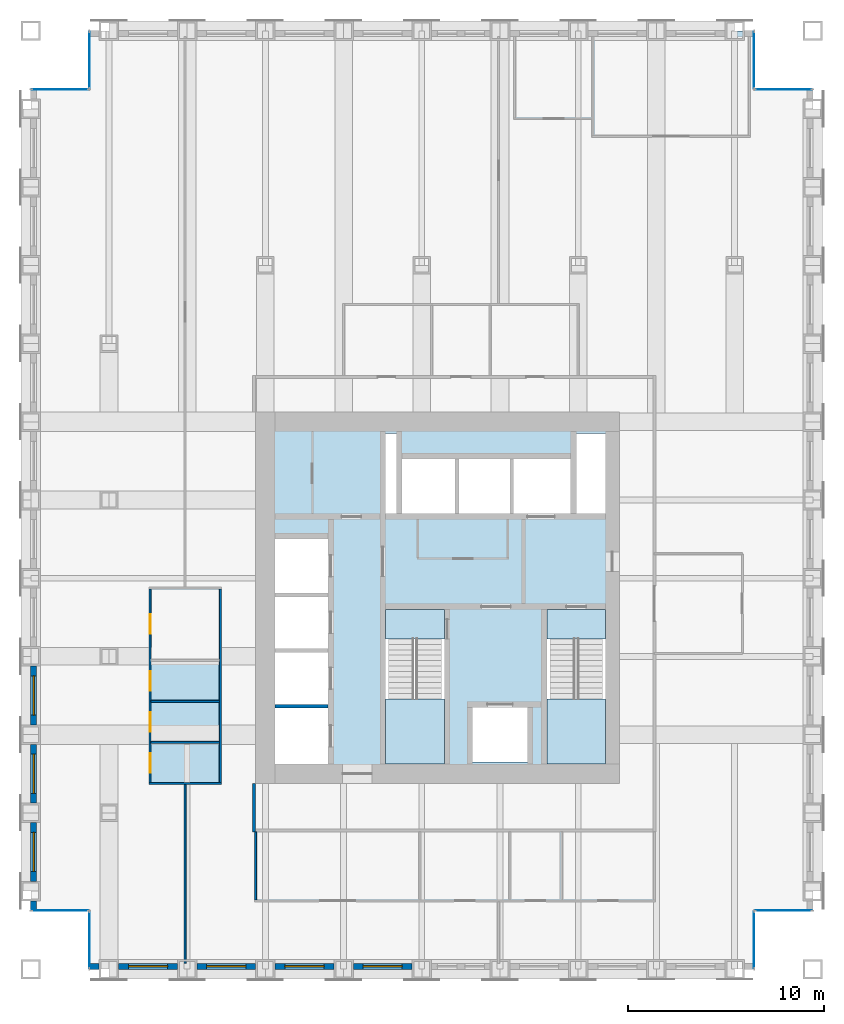
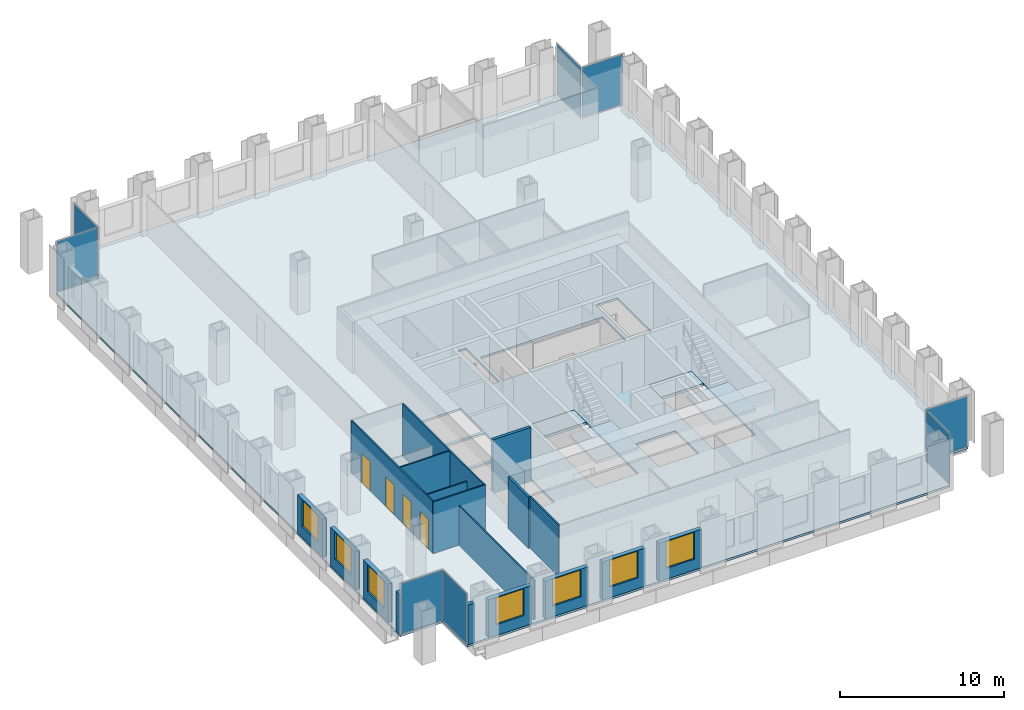
# One storey, part 8 of 13: 18 walls, 8 plates, 7 windows, 5 slabs, 4 doors, 11 openings, 10 elements without a shape of their own.
"""IFC4 building model written with IfcOpenShell, lengths in metres."""

from ifc_helpers import new_model, si_unit, direction, frame, frame_2d, origin, origin_2d, place, context, subcontext, project, spatial, polyline, rectangle, outline, extrude, material, layer, layer_set, type_object, element, fill, aggregate, save


model = new_model("IFC4")

# Units and contexts
model_context = context("Model", 3, precision=1e-05, world=origin(), true_north=direction((0.0, 1.0)))
body_context = subcontext(model_context, "Body", "Model", "MODEL_VIEW")
ifc_project = project(units=[si_unit("LENGTHUNIT", "METRE"), si_unit("AREAUNIT", "SQUARE_METRE"), si_unit("VOLUMEUNIT", "CUBIC_METRE"), si_unit("PLANEANGLEUNIT", "RADIAN"), si_unit("MASSUNIT", "GRAM", prefix="KILO")], contexts=[model_context])

# Site, building, storey
site_placement = place(None, origin())
site = spatial("IfcSite", under=ifc_project, at=site_placement, CompositionType="ELEMENT")
building_placement = place(site_placement, origin())
building = spatial("IfcBuilding", under=site, at=building_placement, Name="Rimbunsela Tower", CompositionType="ELEMENT")
storey_placement = place(building_placement, frame((0.0, 0.0, 195.800048828125)))
storey = spatial("IfcBuildingStorey", under=building, at=storey_placement, Name="L47", CompositionType="ELEMENT", Elevation=195.800048828125)

# Slab
ifc_material_1 = material(Name="Concrete fc' 35 MPa", Category="concrete")
ifc_layer_1 = layer(ifc_material_1, 0.14990234375)
ifc_layer_set_1 = layer_set([ifc_layer_1], Name="Floor slab 150")
slab_type_1 = type_object("IfcSlabType", Name="Floor slab 150", PredefinedType="FLOOR", material=ifc_layer_set_1)
slab_1_placement = place(storey_placement, frame((0.0, 0.0, -0.150146484375)))
element("IfcSlab", 1, at=slab_1_placement, inside=storey, type_object=slab_type_1, Name="Floor slab L47", PredefinedType="FLOOR", context=body_context, shape_type="SweptSolid", body=[
    extrude(outline(polyline([(9.0, 8.0), (43.0, 8.0), (43.0, 11.0), (46.0, 11.0), (46.0, 53.0), (43.0, 53.0), (43.0, 56.0), (9.0, 56.0), (9.0, 53.0), (6.0, 53.0), (6.0, 11.0), (9.0, 11.0), (9.0, 8.0)]), holes=[polyline([(21.199951171875, 21.35009765625), (18.5, 21.35009765625), (18.5, 18.5), (21.199951171875, 18.5), (21.199951171875, 21.35009765625)]), polyline([(21.199951171875, 21.550048828125), (21.199951171875, 24.199951171875), (18.5, 24.199951171875), (18.5, 21.550048828125), (21.199951171875, 21.550048828125)]), polyline([(21.199951171875, 27.050048828125), (18.5, 27.050048828125), (18.5, 24.39990234375), (21.199951171875, 24.39990234375), (21.199951171875, 27.050048828125)]), polyline([(21.199951171875, 27.25), (21.199951171875, 30.0), (18.5, 30.0), (18.5, 27.25), (21.199951171875, 27.25)]), polyline([(27.14990234375, 18.60009765625), (27.14990234375, 26.39990234375), (24.14990234375, 26.39990234375), (24.14990234375, 18.60009765625), (27.14990234375, 18.60009765625)]), polyline([(24.699951171875, 31.300048828125), (24.699951171875, 35.39990234375), (24.14990234375, 35.39990234375), (24.14990234375, 31.300048828125), (24.699951171875, 31.300048828125)]), polyline([(25.0, 34.10009765625), (25.0, 31.300048828125), (33.60009765625, 31.300048828125), (33.60009765625, 34.10009765625), (25.0, 34.10009765625)]), polyline([(31.39990234375, 21.39990234375), (28.60009765625, 21.39990234375), (28.60009765625, 18.60009765625), (31.39990234375, 18.60009765625), (31.39990234375, 21.39990234375)]), polyline([(35.39990234375, 18.60009765625), (35.39990234375, 26.39990234375), (32.39990234375, 26.39990234375), (32.39990234375, 18.60009765625), (35.39990234375, 18.60009765625)]), polyline([(35.39990234375, 31.300048828125), (35.39990234375, 35.39990234375), (33.89990234375, 35.39990234375), (33.89990234375, 31.300048828125), (35.39990234375, 31.300048828125)])]), origin(), (0.0, 0.0, 1.0), 0.150146484375),
])

# Curtain wall, plate
ifc_material_2 = material(Name="Aluminium curtain wall", Category="aluminium")
curtain_wall_type = type_object("IfcCurtainWallType", Name="Corner glazing", PredefinedType="USERDEFINED", material=ifc_material_2)
curtain_wall_1_placement = place(storey_placement, origin())
curtain_wall_1 = element("IfcCurtainWall", 2, at=curtain_wall_1_placement, inside=storey, type_object=curtain_wall_type, Name="Corner glazing L47", ObjectType="CORNER GLAZING", PredefinedType="USERDEFINED")
ifc_material_3 = material(Name="Clear double glazing", Category="glass")
ifc_layer_2 = layer(ifc_material_3, 0.028076171875)
ifc_layer_set_2 = layer_set([ifc_layer_2], Name="Glazed panel clear")
plate_type = type_object("IfcPlateType", Name="Glazed panel clear", PredefinedType="CURTAIN_PANEL", material=ifc_layer_set_2)
plate_1_placement = place(storey_placement, frame((43.0, 9.5, 0.06005859375), z_axis=(0.0, 0.0, 1.0), x_axis=(0.0, 1.0, 0.0)))
plate_1 = element("IfcPlate", 3, at=plate_1_placement, type_object=plate_type, Name="CW5 panel 1.1", PredefinedType="CURTAIN_PANEL", context=body_context, shape_type="SweptSolid", body=[
    extrude(rectangle(XDim=2.8798828125, YDim=0.028076171875, at=origin_2d()), origin(), (0.0, 0.0, 1.0), 3.72998046875),
])
aggregate(curtain_wall_1, [plate_1])

curtain_wall_2_placement = place(storey_placement, origin())
curtain_wall_2 = element("IfcCurtainWall", 4, at=curtain_wall_2_placement, inside=storey, type_object=curtain_wall_type, Name="Corner glazing L47", ObjectType="CORNER GLAZING", PredefinedType="USERDEFINED")
plate_2_placement = place(storey_placement, frame((44.5, 11.0, 0.06005859375), z_axis=(0.0, 0.0, 1.0), x_axis=(1.0, 0.0, 0.0)))
plate_2 = element("IfcPlate", 5, at=plate_2_placement, type_object=plate_type, Name="CW5 panel 1.1", PredefinedType="CURTAIN_PANEL", context=body_context, shape_type="SweptSolid", body=[
    extrude(rectangle(XDim=2.8798828125, YDim=0.028076171875, at=origin_2d()), origin(), (0.0, 0.0, 1.0), 3.72998046875),
])
aggregate(curtain_wall_2, [plate_2])

curtain_wall_3_placement = place(storey_placement, origin())
curtain_wall_3 = element("IfcCurtainWall", 6, at=curtain_wall_3_placement, inside=storey, type_object=curtain_wall_type, Name="Corner glazing L47", ObjectType="CORNER GLAZING", PredefinedType="USERDEFINED")
plate_3_placement = place(storey_placement, frame((44.5, 53.0, 0.06005859375), z_axis=(0.0, 0.0, 1.0), x_axis=(-1.0, 0.0, 0.0)))
plate_3 = element("IfcPlate", 7, at=plate_3_placement, type_object=plate_type, Name="CW5 panel 1.1", PredefinedType="CURTAIN_PANEL", context=body_context, shape_type="SweptSolid", body=[
    extrude(rectangle(XDim=2.8798828125, YDim=0.028076171875, at=origin_2d()), origin(), (0.0, 0.0, 1.0), 3.72998046875),
])
aggregate(curtain_wall_3, [plate_3])

curtain_wall_4_placement = place(storey_placement, origin())
curtain_wall_4 = element("IfcCurtainWall", 8, at=curtain_wall_4_placement, inside=storey, type_object=curtain_wall_type, Name="Corner glazing L47", ObjectType="CORNER GLAZING", PredefinedType="USERDEFINED")
plate_4_placement = place(storey_placement, frame((43.0, 54.5, 0.06005859375), z_axis=(0.0, 0.0, 1.0), x_axis=(0.0, 1.0, 0.0)))
plate_4 = element("IfcPlate", 9, at=plate_4_placement, type_object=plate_type, Name="CW5 panel 1.1", PredefinedType="CURTAIN_PANEL", context=body_context, shape_type="SweptSolid", body=[
    extrude(rectangle(XDim=2.8798828125, YDim=0.028076171875, at=origin_2d()), origin(), (0.0, 0.0, 1.0), 3.72998046875),
])
aggregate(curtain_wall_4, [plate_4])

curtain_wall_5_placement = place(storey_placement, origin())
curtain_wall_5 = element("IfcCurtainWall", 10, at=curtain_wall_5_placement, inside=storey, type_object=curtain_wall_type, Name="Corner glazing L47", ObjectType="CORNER GLAZING", PredefinedType="USERDEFINED")
plate_5_placement = place(storey_placement, frame((9.0, 54.5, 0.06005859375), z_axis=(0.0, 0.0, 1.0), x_axis=(0.0, -1.0, 0.0)))
plate_5 = element("IfcPlate", 11, at=plate_5_placement, type_object=plate_type, Name="CW5 panel 1.1", PredefinedType="CURTAIN_PANEL", context=body_context, shape_type="SweptSolid", body=[
    extrude(rectangle(XDim=2.8798828125, YDim=0.028076171875, at=origin_2d()), origin(), (0.0, 0.0, 1.0), 3.72998046875),
])
aggregate(curtain_wall_5, [plate_5])

curtain_wall_6_placement = place(storey_placement, origin())
curtain_wall_6 = element("IfcCurtainWall", 12, at=curtain_wall_6_placement, inside=storey, type_object=curtain_wall_type, Name="Corner glazing L47", ObjectType="CORNER GLAZING", PredefinedType="USERDEFINED")
plate_6_placement = place(storey_placement, frame((7.5, 53.0, 0.06005859375), z_axis=(0.0, 0.0, 1.0), x_axis=(-1.0, 0.0, 0.0)))
plate_6 = element("IfcPlate", 13, at=plate_6_placement, type_object=plate_type, Name="CW5 panel 1.1", PredefinedType="CURTAIN_PANEL", context=body_context, shape_type="SweptSolid", body=[
    extrude(rectangle(XDim=2.8798828125, YDim=0.028076171875, at=origin_2d()), origin(), (0.0, 0.0, 1.0), 3.72998046875),
])
aggregate(curtain_wall_6, [plate_6])

curtain_wall_7_placement = place(storey_placement, origin())
curtain_wall_7 = element("IfcCurtainWall", 14, at=curtain_wall_7_placement, inside=storey, type_object=curtain_wall_type, Name="Corner glazing L47", ObjectType="CORNER GLAZING", PredefinedType="USERDEFINED")
plate_7_placement = place(storey_placement, frame((7.5, 11.0, 0.06005859375), z_axis=(0.0, 0.0, 1.0), x_axis=(1.0, 0.0, 0.0)))
plate_7 = element("IfcPlate", 15, at=plate_7_placement, type_object=plate_type, Name="CW5 panel 1.1", PredefinedType="CURTAIN_PANEL", context=body_context, shape_type="SweptSolid", body=[
    extrude(rectangle(XDim=2.8798828125, YDim=0.028076171875, at=origin_2d()), origin(), (0.0, 0.0, 1.0), 3.72998046875),
])
aggregate(curtain_wall_7, [plate_7])

curtain_wall_8_placement = place(storey_placement, origin())
curtain_wall_8 = element("IfcCurtainWall", 16, at=curtain_wall_8_placement, inside=storey, type_object=curtain_wall_type, Name="Corner glazing L47", ObjectType="CORNER GLAZING", PredefinedType="USERDEFINED")
plate_8_placement = place(storey_placement, frame((9.0, 9.5, 0.06005859375), z_axis=(0.0, 0.0, 1.0), x_axis=(0.0, -1.0, 0.0)))
plate_8 = element("IfcPlate", 17, at=plate_8_placement, type_object=plate_type, Name="CW5 panel 1.1", PredefinedType="CURTAIN_PANEL", context=body_context, shape_type="SweptSolid", body=[
    extrude(rectangle(XDim=2.8798828125, YDim=0.028076171875, at=origin_2d()), origin(), (0.0, 0.0, 1.0), 3.72998046875),
])
aggregate(curtain_wall_8, [plate_8])

# Stair, slabs
ifc_material_4 = material(Name="Concrete fc' 35 MPa", Category="concrete")
stair_type = type_object("IfcStairType", Name="Exit stair 24 risers", PredefinedType="HALF_TURN_STAIR", material=ifc_material_4)
stair_1_placement = place(storey_placement, origin())
stair_1 = element("IfcStair", 18, at=stair_1_placement, inside=storey, type_object=stair_type, Name="Exit stair A L47", PredefinedType="HALF_TURN_STAIR")
ifc_material_5 = material(Name="Concrete fc' 35 MPa", Category="concrete")
ifc_layer_3 = layer(ifc_material_5, 0.199951171875)
ifc_layer_set_3 = layer_set([ifc_layer_3], Name="Stair landing 200")
slab_type_2 = type_object("IfcSlabType", Name="Stair landing 200", PredefinedType="LANDING", material=ifc_layer_set_3)
slab_2_placement = place(storey_placement, frame((0.0, 0.0, -0.199951171875)))
slab_2 = element("IfcSlab", 19, at=slab_2_placement, type_object=slab_type_2, Name="ST-A landing 1", PredefinedType="LANDING", context=body_context, shape_type="SweptSolid", body=[
    extrude(outline(polyline([(24.14990234375, 24.89990234375), (27.14990234375, 24.89990234375), (27.14990234375, 26.39990234375), (24.14990234375, 26.39990234375), (24.14990234375, 24.89990234375)])), origin(), (0.0, 0.0, 1.0), 0.199951171875),
])
slab_3_placement = place(storey_placement, frame((0.0, 0.0, 1.800048828125)))
slab_3 = element("IfcSlab", 20, at=slab_3_placement, type_object=slab_type_2, Name="ST-A landing 2", PredefinedType="LANDING", context=body_context, shape_type="SweptSolid", body=[
    extrude(outline(polyline([(24.14990234375, 18.5), (27.14990234375, 18.5), (27.14990234375, 21.820068359375), (24.14990234375, 21.820068359375), (24.14990234375, 18.5)])), origin(), (0.0, 0.0, 1.0), 0.199951171875),
])
aggregate(stair_1, [slab_2, slab_3])

stair_2_placement = place(storey_placement, origin())
stair_2 = element("IfcStair", 21, at=stair_2_placement, inside=storey, type_object=stair_type, Name="Exit stair B L47", PredefinedType="HALF_TURN_STAIR")
slab_4_placement = place(storey_placement, frame((0.0, 0.0, -0.199951171875)))
slab_4 = element("IfcSlab", 22, at=slab_4_placement, type_object=slab_type_2, Name="ST-B landing 1", PredefinedType="LANDING", context=body_context, shape_type="SweptSolid", body=[
    extrude(outline(polyline([(32.39990234375, 24.89990234375), (35.39990234375, 24.89990234375), (35.39990234375, 26.39990234375), (32.39990234375, 26.39990234375), (32.39990234375, 24.89990234375)])), origin(), (0.0, 0.0, 1.0), 0.199951171875),
])
slab_5_placement = place(storey_placement, frame((0.0, 0.0, 1.800048828125)))
slab_5 = element("IfcSlab", 23, at=slab_5_placement, type_object=slab_type_2, Name="ST-B landing 2", PredefinedType="LANDING", context=body_context, shape_type="SweptSolid", body=[
    extrude(outline(polyline([(32.39990234375, 18.5), (35.39990234375, 18.5), (35.39990234375, 21.820068359375), (32.39990234375, 21.820068359375), (32.39990234375, 18.5)])), origin(), (0.0, 0.0, 1.0), 0.199951171875),
])
aggregate(stair_2, [slab_4, slab_5])

# Walls
ifc_material_6 = material(Name="Concrete blockwork", Category="masonry")
ifc_layer_4 = layer(ifc_material_6, 0.199951171875)
ifc_layer_set_4 = layer_set([ifc_layer_4], Name="Lift shaft wall 200")
wall_type_1 = type_object("IfcWallType", Name="Lift shaft wall 200", PredefinedType="SOLIDWALL", material=ifc_layer_set_4)
wall_1_placement = place(storey_placement, frame((18.5, 21.449951171875, -0.150146484375), z_axis=(0.0, 0.0, 1.0), x_axis=(1.0, 0.0, 0.0)))
element("IfcWall", 24, at=wall_1_placement, inside=storey, type_object=wall_type_1, Name="Lift shaft separation", PredefinedType="SOLIDWALL", context=body_context, shape_type="SweptSolid", body=[
    extrude(rectangle(XDim=2.699951171875, YDim=0.199951171875, at=frame_2d((1.35009765625, 0.0))), origin(), (0.0, 0.0, 1.0), 4.0),
])
ifc_material_7 = material(Name="Gypsum board on steel studs", Category="steel")
ifc_layer_5 = layer(ifc_material_7, 0.10009765625)
ifc_layer_set_5 = layer_set([ifc_layer_5], Name="Office partition 100")
wall_type_2 = type_object("IfcWallType", Name="Office partition 100", PredefinedType="PARTITIONING", material=ifc_layer_set_5)
wall_2_placement = place(storey_placement, frame((12.050048828125, 17.5, 0.0), z_axis=(0.0, 0.0, 1.0), x_axis=(1.0, 0.0, 0.0)))
element("IfcWall", 25, at=wall_2_placement, inside=storey, type_object=wall_type_2, Name="Office partition", PredefinedType="PARTITIONING", context=body_context, shape_type="SweptSolid", body=[
    extrude(rectangle(XDim=3.699951171875, YDim=0.10009765625, at=frame_2d((1.85009765625, 0.0))), origin(), (0.0, 0.0, 1.0), 3.849853515625),
])
wall_3_placement = place(storey_placement, frame((12.14990234375, 19.60009765625, 0.0), z_axis=(0.0, 0.0, 1.0), x_axis=(1.0, 0.0, 0.0)))
element("IfcWall", 26, at=wall_3_placement, inside=storey, type_object=wall_type_2, Name="Office partition", PredefinedType="PARTITIONING", context=body_context, shape_type="SweptSolid", body=[
    extrude(rectangle(XDim=3.5, YDim=0.10009765625, at=frame_2d((1.75, 0.0))), origin(), (0.0, 0.0, 1.0), 2.849853515625),
])
wall_4_placement = place(storey_placement, frame((12.14990234375, 21.699951171875, 0.0), z_axis=(0.0, 0.0, 1.0), x_axis=(1.0, 0.0, 0.0)))
element("IfcWall", 27, at=wall_4_placement, inside=storey, type_object=wall_type_2, Name="Office partition", PredefinedType="PARTITIONING", context=body_context, shape_type="SweptSolid", body=[
    extrude(rectangle(XDim=3.5, YDim=0.10009765625, at=frame_2d((1.75, 0.0))), origin(), (0.0, 0.0, 1.0), 3.849853515625),
])

# Wall, openings, doors
wall_5_placement = place(storey_placement, frame((12.10009765625, 17.550048828125, 0.0), z_axis=(0.0, 0.0, 1.0), x_axis=(0.0, 1.0, 0.0)))
wall_5 = element("IfcWall", 28, at=wall_5_placement, inside=storey, type_object=wall_type_2, Name="Office partition", PredefinedType="PARTITIONING", context=body_context, shape_type="SweptSolid", body=[
    extrude(rectangle(XDim=9.89990234375, YDim=0.10009765625, at=frame_2d((4.949951171875, 0.0))), origin(), (0.0, 0.0, 1.0), 3.849853515625),
])
opening_1_placement = place(wall_5_placement, frame((0.5, 0.0, 0.0)))
opening_1 = element("IfcOpeningElement", 29, at=opening_1_placement, cuts=wall_5, Name="Opening D16", PredefinedType="OPENING", context=body_context, shape_type="SweptSolid", body=[
    extrude(rectangle(XDim=1.0, YDim=2.199951171875, at=frame_2d((0.5, 1.10009765625))), frame((0.0, 0.06005859375, 0.0), z_axis=(0.0, -1.0, 0.0), x_axis=(1.0, 0.0, 0.0)), (0.0, 0.0, 1.0), 0.1201171875),
])
opening_2_placement = place(wall_5_placement, frame((2.60009765625, 0.0, 0.0)))
opening_2 = element("IfcOpeningElement", 30, at=opening_2_placement, cuts=wall_5, Name="Opening D16", PredefinedType="OPENING", context=body_context, shape_type="SweptSolid", body=[
    extrude(rectangle(XDim=1.0, YDim=2.199951171875, at=frame_2d((0.5, 1.10009765625))), frame((0.0, 0.06005859375, 0.0), z_axis=(0.0, -1.0, 0.0), x_axis=(1.0, 0.0, 0.0)), (0.0, 0.0, 1.0), 0.1201171875),
])
opening_3_placement = place(wall_5_placement, frame((4.699951171875, 0.0, 0.0)))
opening_3 = element("IfcOpeningElement", 31, at=opening_3_placement, cuts=wall_5, Name="Opening D16", PredefinedType="OPENING", context=body_context, shape_type="SweptSolid", body=[
    extrude(rectangle(XDim=1.0, YDim=2.199951171875, at=frame_2d((0.5, 1.10009765625))), frame((0.0, 0.06005859375, 0.0), z_axis=(0.0, -1.0, 0.0), x_axis=(1.0, 0.0, 0.0)), (0.0, 0.0, 1.0), 0.1201171875),
])
opening_4_placement = place(wall_5_placement, frame((7.60009765625, 0.0, 0.0)))
opening_4 = element("IfcOpeningElement", 32, at=opening_4_placement, cuts=wall_5, Name="Opening D17", PredefinedType="OPENING", context=body_context, shape_type="SweptSolid", body=[
    extrude(rectangle(XDim=1.0, YDim=2.199951171875, at=frame_2d((0.5, 1.10009765625))), frame((0.0, 0.06005859375, 0.0), z_axis=(0.0, -1.0, 0.0), x_axis=(1.0, 0.0, 0.0)), (0.0, 0.0, 1.0), 0.1201171875),
])
ifc_material_8 = material(Name="Glazed aluminium door", Category="aluminium")
door_type_1 = type_object("IfcDoorType", Name="Meeting room door 1000 glazed", OperationType="SINGLE_SWING_RIGHT", PredefinedType="DOOR", material=ifc_material_8)
door_1_placement = place(opening_4_placement, origin())
door_1 = element("IfcDoor", 33, at=door_1_placement, inside=storey, type_object=door_type_1, Name="Meeting room door", OperationType="SINGLE_SWING_RIGHT", OverallHeight=2.199951171875, OverallWidth=1.0, PredefinedType="DOOR", context=body_context, shape_type="SweptSolid", body=[
    extrude(rectangle(XDim=1.0, YDim=2.199951171875, at=frame_2d((0.5, 1.10009765625))), frame((0.0, 0.02490234375, 0.0), z_axis=(0.0, -1.0, 0.0), x_axis=(1.0, 0.0, 0.0)), (0.0, 0.0, 1.0), 0.050048828125),
])
fill(opening_4, door_1)
ifc_material_9 = material(Name="Timber door", Category="wood")
door_type_2 = type_object("IfcDoorType", Name="Office door 1000", OperationType="SINGLE_SWING_LEFT", PredefinedType="DOOR", material=ifc_material_9)
door_2_placement = place(opening_1_placement, origin())
door_2 = element("IfcDoor", 34, at=door_2_placement, inside=storey, type_object=door_type_2, Name="Office door", OperationType="SINGLE_SWING_LEFT", OverallHeight=2.199951171875, OverallWidth=1.0, PredefinedType="DOOR", context=body_context, shape_type="SweptSolid", body=[
    extrude(rectangle(XDim=1.0, YDim=2.199951171875, at=frame_2d((0.5, 1.10009765625))), frame((0.0, 0.02490234375, 0.0), z_axis=(0.0, -1.0, 0.0), x_axis=(1.0, 0.0, 0.0)), (0.0, 0.0, 1.0), 0.050048828125),
])
fill(opening_1, door_2)
door_3_placement = place(opening_2_placement, origin())
door_3 = element("IfcDoor", 35, at=door_3_placement, inside=storey, type_object=door_type_2, Name="Office door", OperationType="SINGLE_SWING_LEFT", OverallHeight=2.199951171875, OverallWidth=1.0, PredefinedType="DOOR", context=body_context, shape_type="SweptSolid", body=[
    extrude(rectangle(XDim=1.0, YDim=2.199951171875, at=frame_2d((0.5, 1.10009765625))), frame((0.0, 0.02490234375, 0.0), z_axis=(0.0, -1.0, 0.0), x_axis=(1.0, 0.0, 0.0)), (0.0, 0.0, 1.0), 0.050048828125),
])
fill(opening_2, door_3)
door_4_placement = place(opening_3_placement, origin())
door_4 = element("IfcDoor", 36, at=door_4_placement, inside=storey, type_object=door_type_2, Name="Office door", OperationType="SINGLE_SWING_LEFT", OverallHeight=2.199951171875, OverallWidth=1.0, PredefinedType="DOOR", context=body_context, shape_type="SweptSolid", body=[
    extrude(rectangle(XDim=1.0, YDim=2.199951171875, at=frame_2d((0.5, 1.10009765625))), frame((0.0, 0.02490234375, 0.0), z_axis=(0.0, -1.0, 0.0), x_axis=(1.0, 0.0, 0.0)), (0.0, 0.0, 1.0), 0.050048828125),
])
fill(opening_3, door_4)

# Walls
wall_6_placement = place(storey_placement, frame((15.699951171875, 17.550048828125, 0.0), z_axis=(0.0, 0.0, 1.0), x_axis=(0.0, 1.0, 0.0)))
element("IfcWall", 37, at=wall_6_placement, inside=storey, type_object=wall_type_2, Name="Office partition", PredefinedType="PARTITIONING", context=body_context, shape_type="SweptSolid", body=[
    extrude(rectangle(XDim=9.89990234375, YDim=0.10009765625, at=frame_2d((4.949951171875, 0.0))), origin(), (0.0, 0.0, 1.0), 3.849853515625),
])
wall_7_placement = place(storey_placement, frame((17.5, 11.550048828125, 0.0), z_axis=(0.0, 0.0, 1.0), x_axis=(0.0, 1.0, 0.0)))
element("IfcWall", 38, at=wall_7_placement, inside=storey, type_object=wall_type_2, Name="Office partition", PredefinedType="PARTITIONING", context=body_context, shape_type="SweptSolid", body=[
    extrude(rectangle(XDim=3.474853515625, YDim=0.10009765625, at=frame_2d((1.7373046875, 0.0))), origin(), (0.0, 0.0, 1.0), 3.849853515625),
])
wall_8_placement = place(storey_placement, frame((13.89990234375, 8.300048828125, 0.0), z_axis=(0.0, 0.0, 1.0), x_axis=(0.0, 1.0, 0.0)))
element("IfcWall", 39, at=wall_8_placement, inside=storey, type_object=wall_type_2, Name="Office partition", PredefinedType="PARTITIONING", context=body_context, shape_type="SweptSolid", body=[
    extrude(rectangle(XDim=9.14990234375, YDim=0.10009765625, at=frame_2d((4.574951171875, 0.0))), origin(), (0.0, 0.0, 1.0), 2.949951171875),
])
ifc_material_10 = material(Name="Precast concrete fc' 35 MPa", Category="concrete")
ifc_layer_6 = layer(ifc_material_10, 0.300048828125)
ifc_layer_set_6 = layer_set([ifc_layer_6], Name="Precast concrete fc' 35 MPa")
wall_type_3 = type_object("IfcWallType", Name="Precast facade panel 300", PredefinedType="ELEMENTEDWALL", material=ifc_layer_set_6)
wall_9_placement = place(storey_placement, frame((9.030029296875, 8.14990234375, 0.0), z_axis=(0.0, 0.0, 1.0), x_axis=(1.0, 0.0, 0.0)))
element("IfcWall", 40, at=wall_9_placement, inside=storey, type_object=wall_type_3, Name="Facade panel S L47", PredefinedType="ELEMENTEDWALL", context=body_context, shape_type="SweptSolid", body=[
    extrude(rectangle(XDim=0.469970703125, YDim=0.300048828125, at=frame_2d((0.23486328125, 0.0))), origin(), (0.0, 0.0, 1.0), 2.949951171875),
])

# Wall, opening, window
wall_10_placement = place(storey_placement, frame((10.5, 8.14990234375, 0.0), z_axis=(0.0, 0.0, 1.0), x_axis=(1.0, 0.0, 0.0)))
wall_10 = element("IfcWall", 41, at=wall_10_placement, inside=storey, type_object=wall_type_3, Name="Facade panel S L47", PredefinedType="ELEMENTEDWALL", context=body_context, shape_type="SweptSolid", body=[
    extrude(rectangle(XDim=3.0, YDim=0.300048828125, at=frame_2d((1.5, 0.0))), origin(), (0.0, 0.0, 1.0), 2.849853515625),
])
opening_5_placement = place(wall_10_placement, frame((0.5, 0.0, 0.800048828125)))
opening_5 = element("IfcOpeningElement", 42, at=opening_5_placement, cuts=wall_10, Name="Opening W1", PredefinedType="OPENING", context=body_context, shape_type="SweptSolid", body=[
    extrude(rectangle(XDim=2.0, YDim=2.0, at=frame_2d((1.0, 1.0))), frame((0.0, 0.159912109375, 0.0), z_axis=(0.0, -1.0, 0.0), x_axis=(1.0, 0.0, 0.0)), (0.0, 0.0, 1.0), 0.320068359375),
])
ifc_material_11 = material(Name="Clear glass in aluminium frame", Category="aluminium")
window_type = type_object("IfcWindowType", Name="Window W1 2000x2000", PartitioningType="DOUBLE_PANEL_VERTICAL", PredefinedType="WINDOW", material=ifc_material_11)
window_1_placement = place(opening_5_placement, origin())
window_1 = element("IfcWindow", 43, at=window_1_placement, inside=storey, type_object=window_type, Name="Window L47", OverallHeight=2.0, OverallWidth=2.0, PartitioningType="SINGLE_PANEL", PredefinedType="WINDOW", context=body_context, shape_type="SweptSolid", body=[
    extrude(rectangle(XDim=2.0, YDim=2.0, at=frame_2d((1.0, 1.0))), frame((0.0, 0.030029296875, 0.0), z_axis=(0.0, -1.0, 0.0), x_axis=(1.0, 0.0, 0.0)), (0.0, 0.0, 1.0), 0.06005859375),
])
fill(opening_5, window_1)

wall_11_placement = place(storey_placement, frame((14.5, 8.14990234375, 0.0), z_axis=(0.0, 0.0, 1.0), x_axis=(1.0, 0.0, 0.0)))
wall_11 = element("IfcWall", 44, at=wall_11_placement, inside=storey, type_object=wall_type_3, Name="Facade panel S L47", PredefinedType="ELEMENTEDWALL", context=body_context, shape_type="SweptSolid", body=[
    extrude(rectangle(XDim=3.0, YDim=0.300048828125, at=frame_2d((1.5, 0.0))), origin(), (0.0, 0.0, 1.0), 2.849853515625),
])
opening_6_placement = place(wall_11_placement, frame((0.5, 0.0, 0.800048828125)))
opening_6 = element("IfcOpeningElement", 45, at=opening_6_placement, cuts=wall_11, Name="Opening W1", PredefinedType="OPENING", context=body_context, shape_type="SweptSolid", body=[
    extrude(rectangle(XDim=2.0, YDim=2.0, at=frame_2d((1.0, 1.0))), frame((0.0, 0.159912109375, 0.0), z_axis=(0.0, -1.0, 0.0), x_axis=(1.0, 0.0, 0.0)), (0.0, 0.0, 1.0), 0.320068359375),
])
window_2_placement = place(opening_6_placement, origin())
window_2 = element("IfcWindow", 46, at=window_2_placement, inside=storey, type_object=window_type, Name="Window L47", OverallHeight=2.0, OverallWidth=2.0, PartitioningType="SINGLE_PANEL", PredefinedType="WINDOW", context=body_context, shape_type="SweptSolid", body=[
    extrude(rectangle(XDim=2.0, YDim=2.0, at=frame_2d((1.0, 1.0))), frame((0.0, 0.030029296875, 0.0), z_axis=(0.0, -1.0, 0.0), x_axis=(1.0, 0.0, 0.0)), (0.0, 0.0, 1.0), 0.06005859375),
])
fill(opening_6, window_2)

wall_12_placement = place(storey_placement, frame((18.5, 8.14990234375, 0.0), z_axis=(0.0, 0.0, 1.0), x_axis=(1.0, 0.0, 0.0)))
wall_12 = element("IfcWall", 47, at=wall_12_placement, inside=storey, type_object=wall_type_3, Name="Facade panel S L47", PredefinedType="ELEMENTEDWALL", context=body_context, shape_type="SweptSolid", body=[
    extrude(rectangle(XDim=3.0, YDim=0.300048828125, at=frame_2d((1.5, 0.0))), origin(), (0.0, 0.0, 1.0), 2.849853515625),
])
opening_7_placement = place(wall_12_placement, frame((0.5, 0.0, 0.800048828125)))
opening_7 = element("IfcOpeningElement", 48, at=opening_7_placement, cuts=wall_12, Name="Opening W1", PredefinedType="OPENING", context=body_context, shape_type="SweptSolid", body=[
    extrude(rectangle(XDim=2.0, YDim=2.0, at=frame_2d((1.0, 1.0))), frame((0.0, 0.159912109375, 0.0), z_axis=(0.0, -1.0, 0.0), x_axis=(1.0, 0.0, 0.0)), (0.0, 0.0, 1.0), 0.320068359375),
])
window_3_placement = place(opening_7_placement, origin())
window_3 = element("IfcWindow", 49, at=window_3_placement, inside=storey, type_object=window_type, Name="Window L47", OverallHeight=2.0, OverallWidth=2.0, PartitioningType="SINGLE_PANEL", PredefinedType="WINDOW", context=body_context, shape_type="SweptSolid", body=[
    extrude(rectangle(XDim=2.0, YDim=2.0, at=frame_2d((1.0, 1.0))), frame((0.0, 0.030029296875, 0.0), z_axis=(0.0, -1.0, 0.0), x_axis=(1.0, 0.0, 0.0)), (0.0, 0.0, 1.0), 0.06005859375),
])
fill(opening_7, window_3)

wall_13_placement = place(storey_placement, frame((22.5, 8.14990234375, 0.0), z_axis=(0.0, 0.0, 1.0), x_axis=(1.0, 0.0, 0.0)))
wall_13 = element("IfcWall", 50, at=wall_13_placement, inside=storey, type_object=wall_type_3, Name="Facade panel S L47", PredefinedType="ELEMENTEDWALL", context=body_context, shape_type="SweptSolid", body=[
    extrude(rectangle(XDim=3.0, YDim=0.300048828125, at=frame_2d((1.5, 0.0))), origin(), (0.0, 0.0, 1.0), 2.849853515625),
])
opening_8_placement = place(wall_13_placement, frame((0.5, 0.0, 0.800048828125)))
opening_8 = element("IfcOpeningElement", 51, at=opening_8_placement, cuts=wall_13, Name="Opening W1", PredefinedType="OPENING", context=body_context, shape_type="SweptSolid", body=[
    extrude(rectangle(XDim=2.0, YDim=2.0, at=frame_2d((1.0, 1.0))), frame((0.0, 0.159912109375, 0.0), z_axis=(0.0, -1.0, 0.0), x_axis=(1.0, 0.0, 0.0)), (0.0, 0.0, 1.0), 0.320068359375),
])
window_4_placement = place(opening_8_placement, origin())
window_4 = element("IfcWindow", 52, at=window_4_placement, inside=storey, type_object=window_type, Name="Window L47", OverallHeight=2.0, OverallWidth=2.0, PartitioningType="SINGLE_PANEL", PredefinedType="WINDOW", context=body_context, shape_type="SweptSolid", body=[
    extrude(rectangle(XDim=2.0, YDim=2.0, at=frame_2d((1.0, 1.0))), frame((0.0, 0.030029296875, 0.0), z_axis=(0.0, -1.0, 0.0), x_axis=(1.0, 0.0, 0.0)), (0.0, 0.0, 1.0), 0.06005859375),
])
fill(opening_8, window_4)

# Wall
wall_14_placement = place(storey_placement, frame((6.14990234375, 11.5, 0.0), z_axis=(0.0, 0.0, 1.0), x_axis=(0.0, -1.0, 0.0)))
element("IfcWall", 53, at=wall_14_placement, inside=storey, type_object=wall_type_3, Name="Facade panel W L47", PredefinedType="ELEMENTEDWALL", context=body_context, shape_type="SweptSolid", body=[
    extrude(rectangle(XDim=0.469970703125, YDim=0.300048828125, at=frame_2d((0.23486328125, 0.0))), origin(), (0.0, 0.0, 1.0), 2.949951171875),
])

# Wall, opening, window
wall_15_placement = place(storey_placement, frame((6.14990234375, 15.5, 0.0), z_axis=(0.0, 0.0, 1.0), x_axis=(0.0, -1.0, 0.0)))
wall_15 = element("IfcWall", 54, at=wall_15_placement, inside=storey, type_object=wall_type_3, Name="Facade panel W L47", PredefinedType="ELEMENTEDWALL", context=body_context, shape_type="SweptSolid", body=[
    extrude(rectangle(XDim=3.0, YDim=0.300048828125, at=frame_2d((1.5, 0.0))), origin(), (0.0, 0.0, 1.0), 2.849853515625),
])
opening_9_placement = place(wall_15_placement, frame((0.5, 0.0, 0.800048828125)))
opening_9 = element("IfcOpeningElement", 55, at=opening_9_placement, cuts=wall_15, Name="Opening W1", PredefinedType="OPENING", context=body_context, shape_type="SweptSolid", body=[
    extrude(rectangle(XDim=2.0, YDim=2.0, at=frame_2d((1.0, 1.0))), frame((0.0, 0.159912109375, 0.0), z_axis=(0.0, -1.0, 0.0), x_axis=(1.0, 0.0, 0.0)), (0.0, 0.0, 1.0), 0.320068359375),
])
window_5_placement = place(opening_9_placement, origin())
window_5 = element("IfcWindow", 56, at=window_5_placement, inside=storey, type_object=window_type, Name="Window L47", OverallHeight=2.0, OverallWidth=2.0, PartitioningType="SINGLE_PANEL", PredefinedType="WINDOW", context=body_context, shape_type="SweptSolid", body=[
    extrude(rectangle(XDim=2.0, YDim=2.0, at=frame_2d((1.0, 1.0))), frame((0.0, 0.030029296875, 0.0), z_axis=(0.0, -1.0, 0.0), x_axis=(1.0, 0.0, 0.0)), (0.0, 0.0, 1.0), 0.06005859375),
])
fill(opening_9, window_5)

wall_16_placement = place(storey_placement, frame((6.14990234375, 19.5, 0.0), z_axis=(0.0, 0.0, 1.0), x_axis=(0.0, -1.0, 0.0)))
wall_16 = element("IfcWall", 57, at=wall_16_placement, inside=storey, type_object=wall_type_3, Name="Facade panel W L47", PredefinedType="ELEMENTEDWALL", context=body_context, shape_type="SweptSolid", body=[
    extrude(rectangle(XDim=3.0, YDim=0.300048828125, at=frame_2d((1.5, 0.0))), origin(), (0.0, 0.0, 1.0), 2.849853515625),
])
opening_10_placement = place(wall_16_placement, frame((0.5, 0.0, 0.800048828125)))
opening_10 = element("IfcOpeningElement", 58, at=opening_10_placement, cuts=wall_16, Name="Opening W1", PredefinedType="OPENING", context=body_context, shape_type="SweptSolid", body=[
    extrude(rectangle(XDim=2.0, YDim=2.0, at=frame_2d((1.0, 1.0))), frame((0.0, 0.159912109375, 0.0), z_axis=(0.0, -1.0, 0.0), x_axis=(1.0, 0.0, 0.0)), (0.0, 0.0, 1.0), 0.320068359375),
])
window_6_placement = place(opening_10_placement, origin())
window_6 = element("IfcWindow", 59, at=window_6_placement, inside=storey, type_object=window_type, Name="Window L47", OverallHeight=2.0, OverallWidth=2.0, PartitioningType="SINGLE_PANEL", PredefinedType="WINDOW", context=body_context, shape_type="SweptSolid", body=[
    extrude(rectangle(XDim=2.0, YDim=2.0, at=frame_2d((1.0, 1.0))), frame((0.0, 0.030029296875, 0.0), z_axis=(0.0, -1.0, 0.0), x_axis=(1.0, 0.0, 0.0)), (0.0, 0.0, 1.0), 0.06005859375),
])
fill(opening_10, window_6)

wall_17_placement = place(storey_placement, frame((6.14990234375, 23.5, 0.0), z_axis=(0.0, 0.0, 1.0), x_axis=(0.0, -1.0, 0.0)))
wall_17 = element("IfcWall", 60, at=wall_17_placement, inside=storey, type_object=wall_type_3, Name="Facade panel W L47", PredefinedType="ELEMENTEDWALL", context=body_context, shape_type="SweptSolid", body=[
    extrude(rectangle(XDim=3.0, YDim=0.300048828125, at=frame_2d((1.5, 0.0))), origin(), (0.0, 0.0, 1.0), 2.849853515625),
])
opening_11_placement = place(wall_17_placement, frame((0.5, 0.0, 0.800048828125)))
opening_11 = element("IfcOpeningElement", 61, at=opening_11_placement, cuts=wall_17, Name="Opening W1", PredefinedType="OPENING", context=body_context, shape_type="SweptSolid", body=[
    extrude(rectangle(XDim=2.0, YDim=2.0, at=frame_2d((1.0, 1.0))), frame((0.0, 0.159912109375, 0.0), z_axis=(0.0, -1.0, 0.0), x_axis=(1.0, 0.0, 0.0)), (0.0, 0.0, 1.0), 0.320068359375),
])
window_7_placement = place(opening_11_placement, origin())
window_7 = element("IfcWindow", 62, at=window_7_placement, inside=storey, type_object=window_type, Name="Window L47", OverallHeight=2.0, OverallWidth=2.0, PartitioningType="SINGLE_PANEL", PredefinedType="WINDOW", context=body_context, shape_type="SweptSolid", body=[
    extrude(rectangle(XDim=2.0, YDim=2.0, at=frame_2d((1.0, 1.0))), frame((0.0, 0.030029296875, 0.0), z_axis=(0.0, -1.0, 0.0), x_axis=(1.0, 0.0, 0.0)), (0.0, 0.0, 1.0), 0.06005859375),
])
fill(opening_11, window_7)

# Wall
ifc_material_12 = material(Name="Fire-rated gypsum board on steel studs, EI 60", Category="steel")
ifc_layer_7 = layer(ifc_material_12, 0.14990234375)
ifc_layer_set_7 = layer_set([ifc_layer_7], Name="Rated corridor wall 150")
wall_type_4 = type_object("IfcWallType", Name="Rated corridor wall 150", PredefinedType="PARTITIONING", material=ifc_layer_set_7)
wall_18_placement = place(storey_placement, frame((17.425048828125, 15.02490234375, 0.0), z_axis=(0.0, 0.0, 1.0), x_axis=(0.0, 1.0, 0.0)))
element("IfcWall", 63, at=wall_18_placement, inside=storey, type_object=wall_type_4, Name="Corridor end wall south", PredefinedType="PARTITIONING", context=body_context, shape_type="SweptSolid", body=[
    extrude(rectangle(XDim=2.47509765625, YDim=0.14990234375, at=frame_2d((1.237548828125, 0.0))), origin(), (0.0, 0.0, 1.0), 3.849853515625),
])

save(model, "model.ifc")
